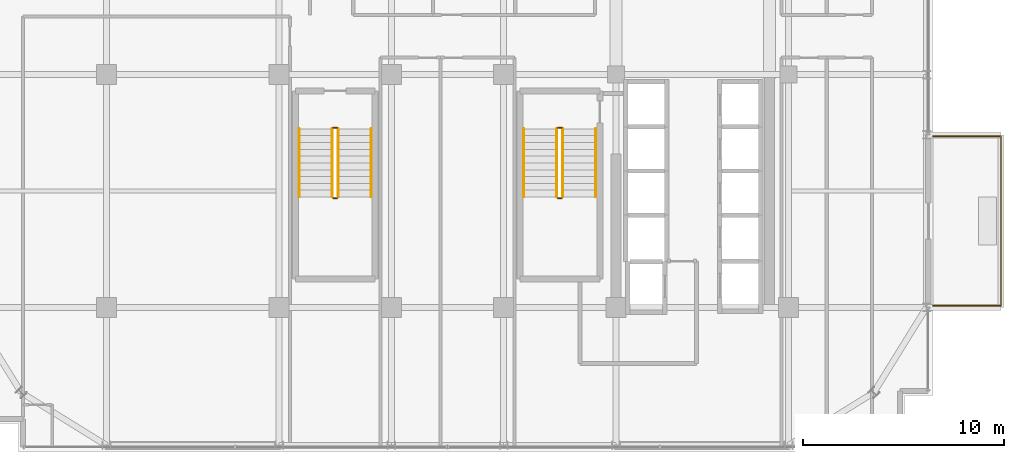
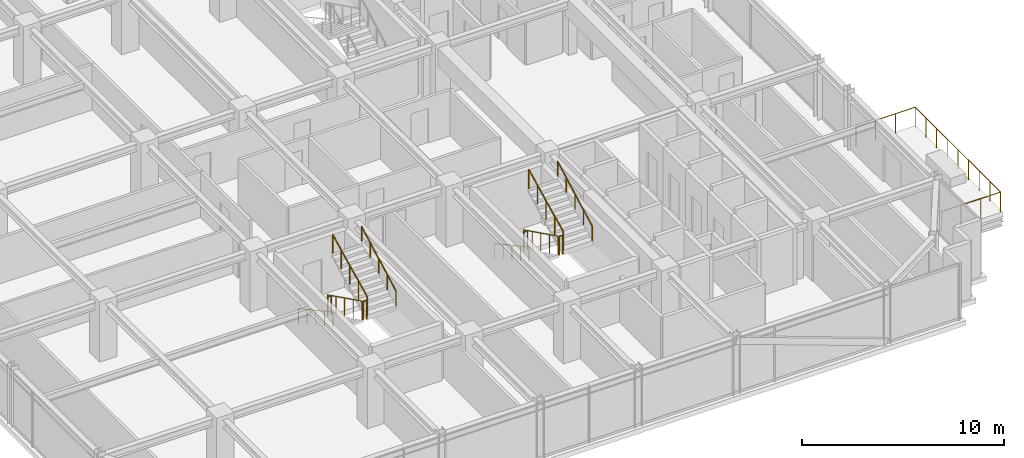
# One storey, part 34 of 36: 13 railings.
"""IFC4 building model written with IfcOpenShell, lengths in metres."""

from ifc_helpers import new_model, si_unit, direction, frame, origin, origin_2d, place, context, subcontext, project, spatial, circle, extrude, material, type_object, element, save


model = new_model("IFC4")

# Units and contexts
model_context = context("Model", 3, precision=1e-05, world=origin(), true_north=direction((0.0, 1.0)))
body_context = subcontext(model_context, "Body", "Model", "MODEL_VIEW")
ifc_project = project(units=[si_unit("LENGTHUNIT", "METRE"), si_unit("AREAUNIT", "SQUARE_METRE"), si_unit("VOLUMEUNIT", "CUBIC_METRE"), si_unit("PLANEANGLEUNIT", "RADIAN"), si_unit("MASSUNIT", "GRAM", prefix="KILO")], contexts=[model_context])

# Site, building, storey
site_placement = place(None, origin())
site = spatial("IfcSite", under=ifc_project, at=site_placement, CompositionType="ELEMENT")
building_placement = place(site_placement, origin())
building = spatial("IfcBuilding", under=site, at=building_placement, Name="Nahalor Promenade Grand Hotel", CompositionType="ELEMENT")
storey_placement = place(building_placement, frame((0.0, 0.0, 219.699951171875)))
storey = spatial("IfcBuildingStorey", under=building, at=storey_placement, Name="L56", CompositionType="ELEMENT", Elevation=219.699951171875)

# Railings
ifc_material_1 = material(Name="Anodised Bronze Aluminium EN AW-6063 T6", Category="aluminium")
railing_type_1 = type_object("IfcRailingType", Name="Bronze Balcony Guardrail 1200 mm", PredefinedType="GUARDRAIL", material=ifc_material_1)
railing_1_placement = place(storey_placement, frame((24.199951171875, -16.919921875, 0.0)))
element("IfcRailing", 1, at=railing_1_placement, inside=storey, type_object=railing_type_1, Name="L56 Balcony Guardrail 2", PredefinedType="GUARDRAIL", context=body_context, shape_type="SweptSolid", body=[
    extrude(circle(Radius=0.024048, at=origin_2d()), frame((0.0, 0.0, 1.17578125), z_axis=(1.0, 0.0, 0.0), x_axis=(0.0, 1.0, 0.0)), (0.0, 0.0, 1.0), 3.38818359375),
    extrude(circle(Radius=0.024048, at=origin_2d()), frame((3.39013671875, 0.001953125, 1.17578125), z_axis=(0.0, 1.0, 0.0), x_axis=(-1.0, 0.0, 0.0)), (0.0, 0.0, 1.0), 8.43603515625),
    extrude(circle(Radius=0.024048, at=origin_2d()), frame((3.38818359375, 8.43994140625, 1.17578125), z_axis=(-1.0, 0.0, 0.0), x_axis=(0.0, -1.0, 0.0)), (0.0, 0.0, 1.0), 3.38818359375),
    extrude(circle(Radius=0.020996, at=origin_2d()), origin(), (0.0, 0.0, 1.0), 1.14990234375),
    extrude(circle(Radius=0.020996, at=origin_2d()), frame((1.130126953125, 0.0, 0.0)), (0.0, 0.0, 1.0), 1.14990234375),
    extrude(circle(Radius=0.020996, at=origin_2d()), frame((2.260009765625, 0.0, 0.0)), (0.0, 0.0, 1.0), 1.14990234375),
    extrude(circle(Radius=0.020996, at=origin_2d()), frame((3.39013671875, 0.0, 0.0)), (0.0, 0.0, 1.0), 1.14990234375),
    extrude(circle(Radius=0.020996, at=origin_2d()), frame((3.39013671875, 1.054931640625, 0.0)), (0.0, 0.0, 1.0), 1.14990234375),
    extrude(circle(Radius=0.020996, at=origin_2d()), frame((3.39013671875, 2.10986328125, 0.0)), (0.0, 0.0, 1.0), 1.14990234375),
    extrude(circle(Radius=0.020996, at=origin_2d()), frame((3.39013671875, 3.1650390625, 0.0)), (0.0, 0.0, 1.0), 1.14990234375),
    extrude(circle(Radius=0.020996, at=origin_2d()), frame((3.39013671875, 4.219970703125, 0.0)), (0.0, 0.0, 1.0), 1.14990234375),
    extrude(circle(Radius=0.020996, at=origin_2d()), frame((3.39013671875, 5.27490234375, 0.0)), (0.0, 0.0, 1.0), 1.14990234375),
    extrude(circle(Radius=0.020996, at=origin_2d()), frame((3.39013671875, 6.330078125, 0.0)), (0.0, 0.0, 1.0), 1.14990234375),
    extrude(circle(Radius=0.020996, at=origin_2d()), frame((3.39013671875, 7.385009765625, 0.0)), (0.0, 0.0, 1.0), 1.14990234375),
    extrude(circle(Radius=0.020996, at=origin_2d()), frame((3.39013671875, 8.43994140625, 0.0)), (0.0, 0.0, 1.0), 1.14990234375),
    extrude(circle(Radius=0.020996, at=origin_2d()), frame((2.260009765625, 8.43994140625, 0.0)), (0.0, 0.0, 1.0), 1.14990234375),
    extrude(circle(Radius=0.020996, at=origin_2d()), frame((1.130126953125, 8.43994140625, 0.0)), (0.0, 0.0, 1.0), 1.14990234375),
    extrude(circle(Radius=0.020996, at=origin_2d()), frame((0.0, 8.43994140625, 0.0)), (0.0, 0.0, 1.0), 1.14990234375),
])
ifc_material_2 = material(Name="Steel S355JR", Category="steel")
railing_type_2 = type_object("IfcRailingType", Name="Steel Stair Guardrail 1150 mm", PredefinedType="GUARDRAIL", material=ifc_material_2)
railing_2_placement = place(storey_placement, frame((5.449951171875, -8.10009765625, 0.168212890625)))
element("IfcRailing", 2, at=railing_2_placement, inside=storey, type_object=railing_type_2, Name="L56 ST2 stair guard 1", PredefinedType="GUARDRAIL", context=body_context, shape_type="SweptSolid", body=[
    extrude(circle(Radius=0.024048, at=origin_2d()), frame((0.0, 0.0, 1.1259765625), z_axis=(0.0, -0.896324230515, 0.443399226197), x_axis=(1.0, 0.0, 0.0)), (0.0, 0.0, 1.0), 3.793212890625),
    extrude(circle(Radius=0.020996, at=origin_2d()), origin(), (0.0, 0.0, 1.0), 1.099853515625),
    extrude(circle(Radius=0.020996, at=origin_2d()), frame((0.0, -0.85009765625, 0.42041015625)), (0.0, 0.0, 1.0), 1.099853515625),
    extrude(circle(Radius=0.020996, at=origin_2d()), frame((0.0, -1.699951171875, 0.8408203125)), (0.0, 0.0, 1.0), 1.099853515625),
    extrude(circle(Radius=0.020996, at=origin_2d()), frame((0.0, -2.5498046875, 1.261474609375)), (0.0, 0.0, 1.0), 1.099853515625),
    extrude(circle(Radius=0.020996, at=origin_2d()), frame((0.0, -3.39990234375, 1.681884765625)), (0.0, 0.0, 1.0), 1.099853515625),
])
railing_3_placement = place(storey_placement, frame((5.5, -11.550048828125, 1.85009765625)))
element("IfcRailing", 3, at=railing_3_placement, inside=storey, type_object=railing_type_2, Name="L56 ST2 stair guard 2", PredefinedType="GUARDRAIL", context=body_context, shape_type="SweptSolid", body=[
    extrude(circle(Radius=0.024048, at=origin_2d()), frame((0.0, 0.0, 1.1259765625), z_axis=(1.0, 0.0, 0.0), x_axis=(0.0, 1.0, 0.0)), (0.0, 0.0, 1.0), 0.199951171875),
    extrude(circle(Radius=0.020996, at=origin_2d()), origin(), (0.0, 0.0, 1.0), 1.099853515625),
    extrude(circle(Radius=0.020996, at=origin_2d()), frame((0.199951171875, 0.0, 0.0)), (0.0, 0.0, 1.0), 1.099853515625),
])
railing_4_placement = place(storey_placement, frame((5.75, -11.5, 2.018310546875)))
element("IfcRailing", 4, at=railing_4_placement, inside=storey, type_object=railing_type_2, Name="L56 ST2 stair guard 3", PredefinedType="GUARDRAIL", context=body_context, shape_type="SweptSolid", body=[
    extrude(circle(Radius=0.024048, at=origin_2d()), frame((0.0, 0.0, 1.1259765625), z_axis=(0.0, 0.896349809652, 0.44334751464), x_axis=(-1.0, 0.0, 0.0)), (0.0, 0.0, 1.0), 3.79296875),
    extrude(circle(Radius=0.020996, at=origin_2d()), origin(), (0.0, 0.0, 1.0), 1.099853515625),
    extrude(circle(Radius=0.020996, at=origin_2d()), frame((0.0, 0.85009765625, 0.42041015625)), (0.0, 0.0, 1.0), 1.099853515625),
    extrude(circle(Radius=0.020996, at=origin_2d()), frame((0.0, 1.699951171875, 0.8408203125)), (0.0, 0.0, 1.0), 1.099853515625),
    extrude(circle(Radius=0.020996, at=origin_2d()), frame((0.0, 2.5498046875, 1.26123046875)), (0.0, 0.0, 1.0), 1.099853515625),
    extrude(circle(Radius=0.020996, at=origin_2d()), frame((0.0, 3.39990234375, 1.681640625)), (0.0, 0.0, 1.0), 1.099853515625),
])
railing_5_placement = place(storey_placement, frame((5.5, -8.050048828125, 0.0)))
element("IfcRailing", 5, at=railing_5_placement, inside=storey, type_object=railing_type_2, Name="L56 ST2 stair guard 4", PredefinedType="GUARDRAIL", context=body_context, shape_type="SweptSolid", body=[
    extrude(circle(Radius=0.024048, at=origin_2d()), frame((0.0, 0.0, 1.1259765625), z_axis=(1.0, 0.0, 0.0), x_axis=(0.0, 1.0, 0.0)), (0.0, 0.0, 1.0), 0.199951171875),
    extrude(circle(Radius=0.020996, at=origin_2d()), origin(), (0.0, 0.0, 1.0), 1.099853515625),
    extrude(circle(Radius=0.020996, at=origin_2d()), frame((0.199951171875, 0.0, 0.0)), (0.0, 0.0, 1.0), 1.099853515625),
])
railing_6_placement = place(storey_placement, frame((-5.75, -8.10009765625, 0.168212890625)))
element("IfcRailing", 6, at=railing_6_placement, inside=storey, type_object=railing_type_2, Name="L56 ST3 stair guard 1", PredefinedType="GUARDRAIL", context=body_context, shape_type="SweptSolid", body=[
    extrude(circle(Radius=0.024048, at=origin_2d()), frame((0.0, 0.0, 1.1259765625), z_axis=(0.0, -0.896324230515, 0.443399226197), x_axis=(1.0, 0.0, 0.0)), (0.0, 0.0, 1.0), 3.793212890625),
    extrude(circle(Radius=0.020996, at=origin_2d()), origin(), (0.0, 0.0, 1.0), 1.099853515625),
    extrude(circle(Radius=0.020996, at=origin_2d()), frame((0.0, -0.85009765625, 0.42041015625)), (0.0, 0.0, 1.0), 1.099853515625),
    extrude(circle(Radius=0.020996, at=origin_2d()), frame((0.0, -1.699951171875, 0.8408203125)), (0.0, 0.0, 1.0), 1.099853515625),
    extrude(circle(Radius=0.020996, at=origin_2d()), frame((0.0, -2.5498046875, 1.261474609375)), (0.0, 0.0, 1.0), 1.099853515625),
    extrude(circle(Radius=0.020996, at=origin_2d()), frame((0.0, -3.39990234375, 1.681884765625)), (0.0, 0.0, 1.0), 1.099853515625),
])
railing_7_placement = place(storey_placement, frame((-5.699951171875, -11.550048828125, 1.85009765625)))
element("IfcRailing", 7, at=railing_7_placement, inside=storey, type_object=railing_type_2, Name="L56 ST3 stair guard 2", PredefinedType="GUARDRAIL", context=body_context, shape_type="SweptSolid", body=[
    extrude(circle(Radius=0.024048, at=origin_2d()), frame((0.0, 0.0, 1.1259765625), z_axis=(1.0, 0.0, 0.0), x_axis=(0.0, 1.0, 0.0)), (0.0, 0.0, 1.0), 0.199951171875),
    extrude(circle(Radius=0.020996, at=origin_2d()), origin(), (0.0, 0.0, 1.0), 1.099853515625),
    extrude(circle(Radius=0.020996, at=origin_2d()), frame((0.199951171875, 0.0, 0.0)), (0.0, 0.0, 1.0), 1.099853515625),
])
railing_8_placement = place(storey_placement, frame((-5.449951171875, -11.5, 2.018310546875)))
element("IfcRailing", 8, at=railing_8_placement, inside=storey, type_object=railing_type_2, Name="L56 ST3 stair guard 3", PredefinedType="GUARDRAIL", context=body_context, shape_type="SweptSolid", body=[
    extrude(circle(Radius=0.024048, at=origin_2d()), frame((0.0, 0.0, 1.1259765625), z_axis=(0.0, 0.896349809652, 0.44334751464), x_axis=(-1.0, 0.0, 0.0)), (0.0, 0.0, 1.0), 3.79296875),
    extrude(circle(Radius=0.020996, at=origin_2d()), origin(), (0.0, 0.0, 1.0), 1.099853515625),
    extrude(circle(Radius=0.020996, at=origin_2d()), frame((0.0, 0.85009765625, 0.42041015625)), (0.0, 0.0, 1.0), 1.099853515625),
    extrude(circle(Radius=0.020996, at=origin_2d()), frame((0.0, 1.699951171875, 0.8408203125)), (0.0, 0.0, 1.0), 1.099853515625),
    extrude(circle(Radius=0.020996, at=origin_2d()), frame((0.0, 2.5498046875, 1.26123046875)), (0.0, 0.0, 1.0), 1.099853515625),
    extrude(circle(Radius=0.020996, at=origin_2d()), frame((0.0, 3.39990234375, 1.681640625)), (0.0, 0.0, 1.0), 1.099853515625),
])
railing_9_placement = place(storey_placement, frame((-5.699951171875, -8.050048828125, 0.0)))
element("IfcRailing", 9, at=railing_9_placement, inside=storey, type_object=railing_type_2, Name="L56 ST3 stair guard 4", PredefinedType="GUARDRAIL", context=body_context, shape_type="SweptSolid", body=[
    extrude(circle(Radius=0.024048, at=origin_2d()), frame((0.0, 0.0, 1.1259765625), z_axis=(1.0, 0.0, 0.0), x_axis=(0.0, 1.0, 0.0)), (0.0, 0.0, 1.0), 0.199951171875),
    extrude(circle(Radius=0.020996, at=origin_2d()), origin(), (0.0, 0.0, 1.0), 1.099853515625),
    extrude(circle(Radius=0.020996, at=origin_2d()), frame((0.199951171875, 0.0, 0.0)), (0.0, 0.0, 1.0), 1.099853515625),
])
railing_type_3 = type_object("IfcRailingType", Name="Steel Stair Handrail 900 mm", PredefinedType="HANDRAIL", material=ifc_material_2)
railing_10_placement = place(storey_placement, frame((3.800048828125, -8.10009765625, 0.168212890625)))
element("IfcRailing", 10, at=railing_10_placement, inside=storey, type_object=railing_type_3, Name="L56 ST2 stair handrail 1", PredefinedType="HANDRAIL", context=body_context, shape_type="SweptSolid", body=[
    extrude(circle(Radius=0.024048, at=origin_2d()), frame((0.0, 0.0, 0.8759765625), z_axis=(0.0, -0.87837241229, 0.47797688786), x_axis=(1.0, 0.0, 0.0)), (0.0, 0.0, 1.0), 3.87060546875),
    extrude(circle(Radius=0.020996, at=origin_2d()), origin(), (0.0, 0.0, 1.0), 0.849853515625),
    extrude(circle(Radius=0.020996, at=origin_2d()), frame((0.0, -0.85009765625, 0.46240234375)), (0.0, 0.0, 1.0), 0.849853515625),
    extrude(circle(Radius=0.020996, at=origin_2d()), frame((0.0, -1.699951171875, 0.925048828125)), (0.0, 0.0, 1.0), 0.849853515625),
    extrude(circle(Radius=0.020996, at=origin_2d()), frame((0.0, -2.5498046875, 1.3876953125)), (0.0, 0.0, 1.0), 0.849853515625),
    extrude(circle(Radius=0.020996, at=origin_2d()), frame((0.0, -3.39990234375, 1.85009765625)), (0.0, 0.0, 1.0), 0.849853515625),
])
railing_11_placement = place(storey_placement, frame((7.39990234375, -11.5, 2.018310546875)))
element("IfcRailing", 11, at=railing_11_placement, inside=storey, type_object=railing_type_3, Name="L56 ST2 stair handrail 2", PredefinedType="HANDRAIL", context=body_context, shape_type="SweptSolid", body=[
    extrude(circle(Radius=0.024048, at=origin_2d()), frame((0.0, 0.0, 0.8759765625), z_axis=(0.0, 0.878398892953, 0.47792822145), x_axis=(-1.0, 0.0, 0.0)), (0.0, 0.0, 1.0), 3.87060546875),
    extrude(circle(Radius=0.020996, at=origin_2d()), origin(), (0.0, 0.0, 1.0), 0.849853515625),
    extrude(circle(Radius=0.020996, at=origin_2d()), frame((0.0, 0.85009765625, 0.46240234375)), (0.0, 0.0, 1.0), 0.849853515625),
    extrude(circle(Radius=0.020996, at=origin_2d()), frame((0.0, 1.699951171875, 0.9248046875)), (0.0, 0.0, 1.0), 0.849853515625),
    extrude(circle(Radius=0.020996, at=origin_2d()), frame((0.0, 2.5498046875, 1.387451171875)), (0.0, 0.0, 1.0), 0.849853515625),
    extrude(circle(Radius=0.020996, at=origin_2d()), frame((0.0, 3.39990234375, 1.849853515625)), (0.0, 0.0, 1.0), 0.849853515625),
])
railing_12_placement = place(storey_placement, frame((-7.39990234375, -8.10009765625, 0.168212890625)))
element("IfcRailing", 12, at=railing_12_placement, inside=storey, type_object=railing_type_3, Name="L56 ST3 stair handrail 1", PredefinedType="HANDRAIL", context=body_context, shape_type="SweptSolid", body=[
    extrude(circle(Radius=0.024048, at=origin_2d()), frame((0.0, 0.0, 0.8759765625), z_axis=(0.0, -0.87837241229, 0.47797688786), x_axis=(1.0, 0.0, 0.0)), (0.0, 0.0, 1.0), 3.87060546875),
    extrude(circle(Radius=0.020996, at=origin_2d()), origin(), (0.0, 0.0, 1.0), 0.849853515625),
    extrude(circle(Radius=0.020996, at=origin_2d()), frame((0.0, -0.85009765625, 0.46240234375)), (0.0, 0.0, 1.0), 0.849853515625),
    extrude(circle(Radius=0.020996, at=origin_2d()), frame((0.0, -1.699951171875, 0.925048828125)), (0.0, 0.0, 1.0), 0.849853515625),
    extrude(circle(Radius=0.020996, at=origin_2d()), frame((0.0, -2.5498046875, 1.3876953125)), (0.0, 0.0, 1.0), 0.849853515625),
    extrude(circle(Radius=0.020996, at=origin_2d()), frame((0.0, -3.39990234375, 1.85009765625)), (0.0, 0.0, 1.0), 0.849853515625),
])
railing_13_placement = place(storey_placement, frame((-3.800048828125, -11.5, 2.018310546875)))
element("IfcRailing", 13, at=railing_13_placement, inside=storey, type_object=railing_type_3, Name="L56 ST3 stair handrail 2", PredefinedType="HANDRAIL", context=body_context, shape_type="SweptSolid", body=[
    extrude(circle(Radius=0.024048, at=origin_2d()), frame((0.0, 0.0, 0.8759765625), z_axis=(0.0, 0.878398892953, 0.47792822145), x_axis=(-1.0, 0.0, 0.0)), (0.0, 0.0, 1.0), 3.87060546875),
    extrude(circle(Radius=0.020996, at=origin_2d()), origin(), (0.0, 0.0, 1.0), 0.849853515625),
    extrude(circle(Radius=0.020996, at=origin_2d()), frame((0.0, 0.85009765625, 0.46240234375)), (0.0, 0.0, 1.0), 0.849853515625),
    extrude(circle(Radius=0.020996, at=origin_2d()), frame((0.0, 1.699951171875, 0.9248046875)), (0.0, 0.0, 1.0), 0.849853515625),
    extrude(circle(Radius=0.020996, at=origin_2d()), frame((0.0, 2.5498046875, 1.387451171875)), (0.0, 0.0, 1.0), 0.849853515625),
    extrude(circle(Radius=0.020996, at=origin_2d()), frame((0.0, 3.39990234375, 1.849853515625)), (0.0, 0.0, 1.0), 0.849853515625),
])

save(model, "model.ifc")
